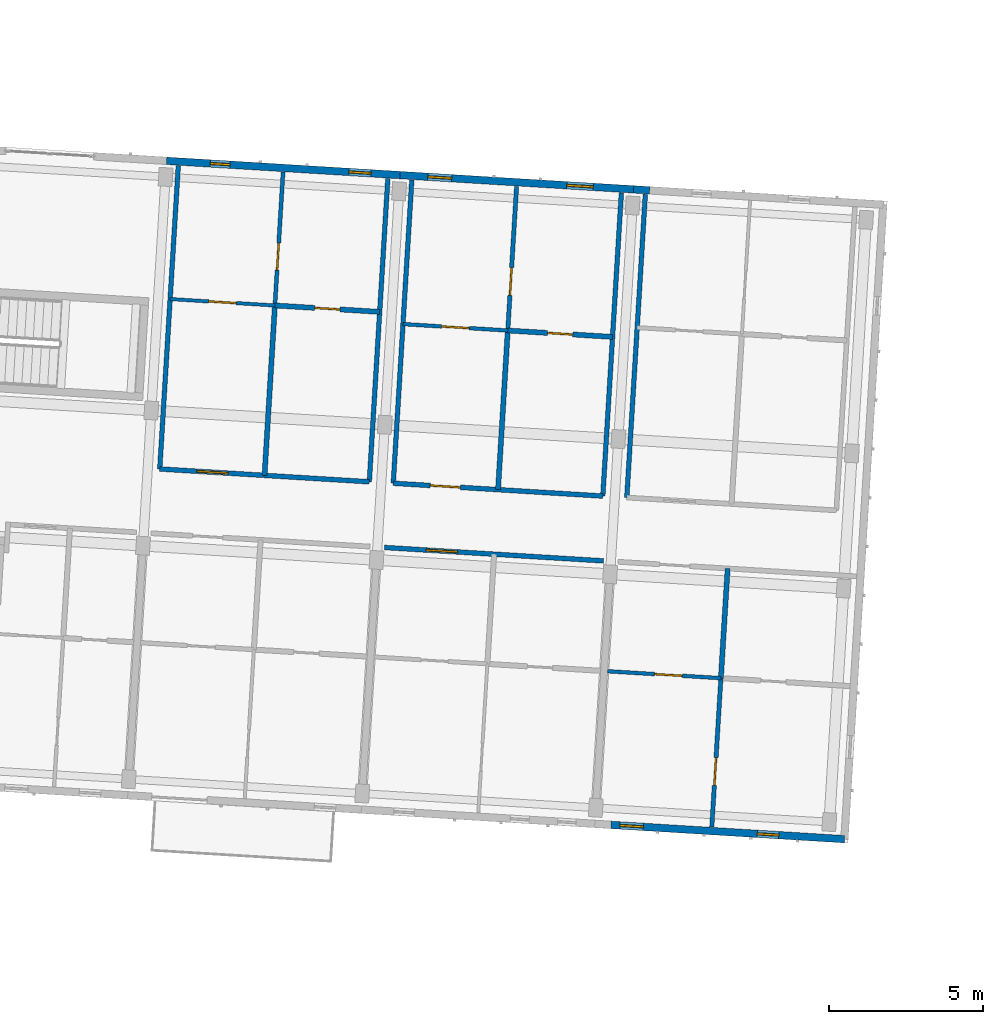
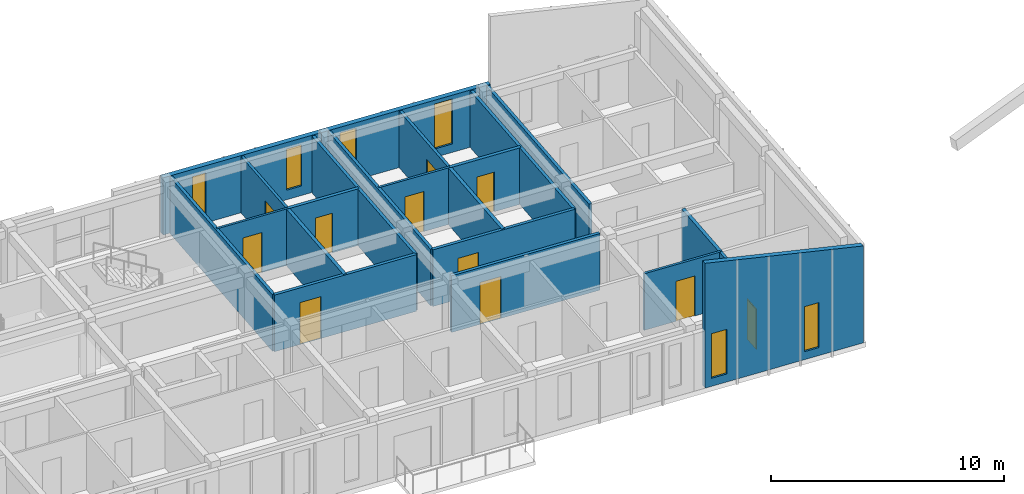
# One storey, part 27 of 64: 23 walls, 11 doors, 6 windows, 17 openings.
"""IFC4 building model written with IfcOpenShell, lengths in metres."""

from ifc_helpers import new_model, si_unit, direction, frame, frame_2d, origin, place, context, subcontext, project, spatial, polyline, rectangle, outline, extrude, material, layer, layer_set, type_object, element, fill, save


model = new_model("IFC4")

# Units and contexts
model_context = context("Model", 3, precision=1e-05, world=origin(), true_north=direction((0.0, 1.0)))
body_context = subcontext(model_context, "Body", "Model", "MODEL_VIEW")
ifc_project = project(units=[si_unit("LENGTHUNIT", "METRE"), si_unit("AREAUNIT", "SQUARE_METRE"), si_unit("VOLUMEUNIT", "CUBIC_METRE"), si_unit("PLANEANGLEUNIT", "RADIAN"), si_unit("MASSUNIT", "GRAM", prefix="KILO")], contexts=[model_context])

# Site, building, storey
site_placement = place(None, origin())
site = spatial("IfcSite", under=ifc_project, at=site_placement, CompositionType="ELEMENT")
building_placement = place(site_placement, origin())
building = spatial("IfcBuilding", under=site, at=building_placement, Name="Kestramere Prow Commons", CompositionType="ELEMENT")
storey_placement = place(building_placement, frame((0.0, 0.0, 24.64990234375)))
storey = spatial("IfcBuildingStorey", under=building, at=storey_placement, Name="L07", CompositionType="ELEMENT", Elevation=24.64990234375)

# Wall, openings, windows
ifc_material_1 = material(Name="Fluoropolymer Standing-Seam Zinc-Aluminium Cladding", Category="aluminium")
ifc_layer_1 = layer(ifc_material_1, 0.239990234375)
ifc_layer_set_1 = layer_set([ifc_layer_1], Name="Fluoropolymer Standing-Seam Zinc-Aluminium Cladding")
wall_type_1 = type_object("IfcWallType", Name="EW-SEAM-240", PredefinedType="SOLIDWALL", material=ifc_layer_set_1)
wall_1_placement = place(storey_placement, frame((105.5068359375, 43.16015625, 0.0), z_axis=(0.0, 0.0, 1.0), x_axis=(-0.998135549572, 0.061036257095, 0.0)))
wall_1 = element("IfcWall", 1, at=wall_1_placement, inside=storey, type_object=wall_type_1, Name="Block C L07 South Standing-Seam Wall 6", PredefinedType="SOLIDWALL", context=body_context, shape_type="SweptSolid", body=[
    extrude(outline(polyline([(0.0, 0.0), (7.599853515625, 0.0), (7.60009765625, 6.547607421875), (0.0, 5.085205078125), (0.0, 0.0)])), frame((0.0, 0.1201171875, 0.0), z_axis=(0.0, -1.0, 0.0), x_axis=(1.0, 0.0, 0.0)), (0.0, 0.0, 1.0), 0.239990234375),
])
opening_1_placement = place(wall_1_placement, frame((2.13720703125, 0.0, 0.419921875)))
opening_1 = element("IfcOpeningElement", 2, at=opening_1_placement, cuts=wall_1, Name="Opening WN-07", PredefinedType="OPENING", context=body_context, shape_type="SweptSolid", body=[
    extrude(rectangle(XDim=0.699951171875, YDim=2.360107421875, at=frame_2d((0.35009765625, 1.18017578125))), frame((0.0, 0.135009765625, 0.0), z_axis=(0.0, -1.0, 0.0), x_axis=(1.0, 0.0, 0.0)), (0.0, 0.0, 1.0), 0.27001953125),
])
opening_2_placement = place(wall_1_placement, frame((6.544677734375, 0.0, 0.419921875)))
opening_2 = element("IfcOpeningElement", 3, at=opening_2_placement, cuts=wall_1, Name="Opening WN-10", PredefinedType="OPENING", context=body_context, shape_type="SweptSolid", body=[
    extrude(rectangle(XDim=0.760009765625, YDim=2.340087890625, at=frame_2d((0.3798828125, 1.169921875))), frame((0.0, 0.135009765625, 0.0), z_axis=(0.0, -1.0, 0.0), x_axis=(1.0, 0.0, 0.0)), (0.0, 0.0, 1.0), 0.27001953125),
])
ifc_material_2 = material(Name="Low-E Laminated Double Glazing", Category="glass")
window_type_1 = type_object("IfcWindowType", Name="WN-NAR-700A", PartitioningType="SINGLE_PANEL", PredefinedType="WINDOW", material=ifc_material_2)
window_1_placement = place(opening_1_placement, origin())
window_1 = element("IfcWindow", 4, at=window_1_placement, inside=storey, type_object=window_type_1, Name="WN-C-L07-S-5-00", OverallHeight=2.360107421875, OverallWidth=0.699951171875, PartitioningType="SINGLE_PANEL", PredefinedType="WINDOW", context=body_context, shape_type="SweptSolid", body=[
    extrude(rectangle(XDim=0.699951171875, YDim=2.360107421875, at=frame_2d((0.35009765625, 1.18017578125))), frame((0.0, 0.030029296875, 0.0), z_axis=(0.0, -1.0, 0.0), x_axis=(1.0, 0.0, 0.0)), (0.0, 0.0, 1.0), 0.06005859375),
])
fill(opening_1, window_1)
window_type_2 = type_object("IfcWindowType", Name="WN-NAR-760A", PartitioningType="SINGLE_PANEL", PredefinedType="WINDOW", material=ifc_material_2)
window_2_placement = place(opening_2_placement, origin())
window_2 = element("IfcWindow", 5, at=window_2_placement, inside=storey, type_object=window_type_2, Name="WN-C-L07-S-5-10", OverallHeight=2.340087890625, OverallWidth=0.760009765625, PartitioningType="SINGLE_PANEL", PredefinedType="WINDOW", context=body_context, shape_type="SweptSolid", body=[
    extrude(rectangle(XDim=0.760009765625, YDim=2.340087890625, at=frame_2d((0.3798828125, 1.169921875))), frame((0.0, 0.030029296875, 0.0), z_axis=(0.0, -1.0, 0.0), x_axis=(1.0, 0.0, 0.0)), (0.0, 0.0, 1.0), 0.06005859375),
])
fill(opening_2, window_2)

wall_2_placement = place(storey_placement, frame((83.486083984375, 65.195556640625, 0.0), z_axis=(0.0, 0.0, 1.0), x_axis=(0.998135669243, -0.061034300063, 0.0)))
wall_2 = element("IfcWall", 6, at=wall_2_placement, inside=storey, type_object=wall_type_1, Name="Block C L07 North Standing-Seam Wall 4", PredefinedType="SOLIDWALL", context=body_context, shape_type="SweptSolid", body=[
    extrude(rectangle(XDim=7.60009765625, YDim=0.239990234375, at=frame_2d((3.800048828125, 0.0))), origin(), (0.0, 0.0, 1.0), 3.0),
])
opening_3_placement = place(wall_2_placement, frame((1.424072265625, 0.0, 0.43994140625)))
opening_3 = element("IfcOpeningElement", 7, at=opening_3_placement, cuts=wall_2, Name="Opening WN-04", PredefinedType="OPENING", context=body_context, shape_type="SweptSolid", body=[
    extrude(rectangle(XDim=0.639892578125, YDim=2.179931640625, at=frame_2d((0.31982421875, 1.08984375))), frame((0.0, 0.135009765625, 0.0), z_axis=(0.0, -1.0, 0.0), x_axis=(1.0, 0.0, 0.0)), (0.0, 0.0, 1.0), 0.27001953125),
])
opening_4_placement = place(wall_2_placement, frame((5.93505859375, 0.0, 0.5)))
opening_4 = element("IfcOpeningElement", 8, at=opening_4_placement, cuts=wall_2, Name="Opening WN-08", PredefinedType="OPENING", context=body_context, shape_type="SweptSolid", body=[
    extrude(rectangle(XDim=0.719970703125, YDim=2.159912109375, at=frame_2d((0.35986328125, 1.080078125))), frame((0.0, 0.135009765625, 0.0), z_axis=(0.0, -1.0, 0.0), x_axis=(1.0, 0.0, 0.0)), (0.0, 0.0, 1.0), 0.27001953125),
])
window_type_3 = type_object("IfcWindowType", Name="WN-NAR-640A", PartitioningType="SINGLE_PANEL", PredefinedType="WINDOW", material=ifc_material_2)
window_3_placement = place(opening_3_placement, origin())
window_3 = element("IfcWindow", 9, at=window_3_placement, inside=storey, type_object=window_type_3, Name="WN-C-L07-N-3-0", OverallHeight=2.179931640625, OverallWidth=0.639892578125, PartitioningType="SINGLE_PANEL", PredefinedType="WINDOW", context=body_context, shape_type="SweptSolid", body=[
    extrude(rectangle(XDim=0.639892578125, YDim=2.179931640625, at=frame_2d((0.31982421875, 1.08984375))), frame((0.0, 0.030029296875, 0.0), z_axis=(0.0, -1.0, 0.0), x_axis=(1.0, 0.0, 0.0)), (0.0, 0.0, 1.0), 0.06005859375),
])
fill(opening_3, window_3)
window_type_4 = type_object("IfcWindowType", Name="WN-NAR-720A", PartitioningType="SINGLE_PANEL", PredefinedType="WINDOW", material=ifc_material_2)
window_4_placement = place(opening_4_placement, origin())
window_4 = element("IfcWindow", 10, at=window_4_placement, inside=storey, type_object=window_type_4, Name="WN-C-L07-N-3-1", OverallHeight=2.159912109375, OverallWidth=0.719970703125, PartitioningType="SINGLE_PANEL", PredefinedType="WINDOW", context=body_context, shape_type="SweptSolid", body=[
    extrude(rectangle(XDim=0.719970703125, YDim=2.159912109375, at=frame_2d((0.35986328125, 1.080078125))), frame((0.0, 0.030029296875, 0.0), z_axis=(0.0, -1.0, 0.0), x_axis=(1.0, 0.0, 0.0)), (0.0, 0.0, 1.0), 0.06005859375),
])
fill(opening_4, window_4)

wall_3_placement = place(storey_placement, frame((91.072021484375, 64.731689453125, 0.0), z_axis=(0.0, 0.0, 1.0), x_axis=(0.998133591969, -0.061068261669, 0.0)))
wall_3 = element("IfcWall", 11, at=wall_3_placement, inside=storey, type_object=wall_type_1, Name="Block C L07 North Standing-Seam Wall 5", PredefinedType="SOLIDWALL", context=body_context, shape_type="SweptSolid", body=[
    extrude(rectangle(XDim=7.599853515625, YDim=0.239990234375, at=frame_2d((3.7998046875, 0.0))), origin(), (0.0, 0.0, 1.0), 3.0),
])
opening_5_placement = place(wall_3_placement, frame((0.901611328125, 0.0, 0.5)))
opening_5 = element("IfcOpeningElement", 12, at=opening_5_placement, cuts=wall_3, Name="Opening WN-11", PredefinedType="OPENING", context=body_context, shape_type="SweptSolid", body=[
    extrude(rectangle(XDim=0.780029296875, YDim=2.199951171875, at=frame_2d((0.39013671875, 1.10009765625))), frame((0.0, 0.135009765625, 0.0), z_axis=(0.0, -1.0, 0.0), x_axis=(1.0, 0.0, 0.0)), (0.0, 0.0, 1.0), 0.27001953125),
])
opening_6_placement = place(wall_3_placement, frame((5.426025390625, 0.0, 0.43994140625)))
opening_6 = element("IfcOpeningElement", 13, at=opening_6_placement, cuts=wall_3, Name="Opening WN-15", PredefinedType="OPENING", context=body_context, shape_type="SweptSolid", body=[
    extrude(rectangle(XDim=0.860107421875, YDim=2.360107421875, at=frame_2d((0.43017578125, 1.18017578125))), frame((0.0, 0.135009765625, 0.0), z_axis=(0.0, -1.0, 0.0), x_axis=(1.0, 0.0, 0.0)), (0.0, 0.0, 1.0), 0.27001953125),
])
window_type_5 = type_object("IfcWindowType", Name="WN-NAR-780A", PartitioningType="SINGLE_PANEL", PredefinedType="WINDOW", material=ifc_material_2)
window_5_placement = place(opening_5_placement, origin())
window_5 = element("IfcWindow", 14, at=window_5_placement, inside=storey, type_object=window_type_5, Name="WN-C-L07-N-4-0", OverallHeight=2.199951171875, OverallWidth=0.780029296875, PartitioningType="SINGLE_PANEL", PredefinedType="WINDOW", context=body_context, shape_type="SweptSolid", body=[
    extrude(rectangle(XDim=0.780029296875, YDim=2.199951171875, at=frame_2d((0.39013671875, 1.10009765625))), frame((0.0, 0.030029296875, 0.0), z_axis=(0.0, -1.0, 0.0), x_axis=(1.0, 0.0, 0.0)), (0.0, 0.0, 1.0), 0.06005859375),
])
fill(opening_5, window_5)
window_type_6 = type_object("IfcWindowType", Name="WN-NAR-860A", PartitioningType="DOUBLE_PANEL_VERTICAL", PredefinedType="WINDOW", material=ifc_material_2)
window_6_placement = place(opening_6_placement, origin())
window_6 = element("IfcWindow", 15, at=window_6_placement, inside=storey, type_object=window_type_6, Name="WN-C-L07-N-4-1", OverallHeight=2.360107421875, OverallWidth=0.860107421875, PartitioningType="SINGLE_PANEL", PredefinedType="WINDOW", context=body_context, shape_type="SweptSolid", body=[
    extrude(rectangle(XDim=0.860107421875, YDim=2.360107421875, at=frame_2d((0.43017578125, 1.18017578125))), frame((0.0, 0.030029296875, 0.0), z_axis=(0.0, -1.0, 0.0), x_axis=(1.0, 0.0, 0.0)), (0.0, 0.0, 1.0), 0.06005859375),
])
fill(opening_6, window_6)

# Wall
wall_4_placement = place(storey_placement, frame((98.65771484375, 64.267578125, 0.0), z_axis=(0.0, 0.0, 1.0), x_axis=(0.998142018096, -0.060930384143, 0.0)))
element("IfcWall", 16, at=wall_4_placement, inside=storey, type_object=wall_type_1, Name="Block C L07 North Step-Back Spandrel Wall 6", PredefinedType="SOLIDWALL", context=body_context, shape_type="SweptSolid", body=[
    extrude(rectangle(XDim=0.52490234375, YDim=0.239990234375, at=frame_2d((0.262451171875, 0.0))), origin(), (0.0, 0.0, 1.0), 3.0),
])

# Wall, opening, door
ifc_material_3 = material(Name="Fire-Rated Calcium Silicate Wall")
ifc_layer_2 = layer(ifc_material_3, 0.155029296875)
ifc_layer_set_2 = layer_set([ifc_layer_2], Name="Fire-Rated Calcium Silicate Wall")
wall_type_2 = type_object("IfcWallType", Name="W-FIRE-150", PredefinedType="PARTITIONING", material=ifc_layer_set_2)
wall_5_placement = place(storey_placement, frame((90.5673828125, 52.634765625, 0.0), z_axis=(0.0, 0.0, 1.0), x_axis=(0.998134569689, -0.061052279168, 0.0)))
wall_5 = element("IfcWall", 17, at=wall_5_placement, inside=storey, type_object=wall_type_2, Name="Interior Partition PW-C-L07-CS-4", PredefinedType="PARTITIONING", context=body_context, shape_type="SweptSolid", body=[
    extrude(rectangle(XDim=7.1298828125, YDim=0.155029296875, at=frame_2d((3.56494140625, 0.0))), origin(), (0.0, 0.0, 1.0), 2.97021484375),
])
opening_7_placement = place(wall_5_placement, frame((1.35498046875, 0.0, 0.0)))
opening_7 = element("IfcOpeningElement", 18, at=opening_7_placement, cuts=wall_5, Name="Opening ID-05", PredefinedType="OPENING", context=body_context, shape_type="SweptSolid", body=[
    extrude(rectangle(XDim=1.02001953125, YDim=2.199951171875, at=frame_2d((0.510009765625, 1.10009765625))), frame((0.0, 0.092529296875, 0.0), z_axis=(0.0, -1.0, 0.0), x_axis=(1.0, 0.0, 0.0)), (0.0, 0.0, 1.0), 0.18505859375),
])
ifc_material_4 = material(Name="Hardwood Fire-Rated Flat Entrance Door", Category="wood")
door_type_1 = type_object("IfcDoorType", Name="FD-ENT-02", OperationType="NOTDEFINED", PredefinedType="DOOR", material=ifc_material_4)
door_1_placement = place(opening_7_placement, origin())
door_1 = element("IfcDoor", 19, at=door_1_placement, inside=storey, type_object=door_type_1, Name="Interior Door DR-C-L07-ENT-S4", OperationType="SINGLE_SWING_RIGHT", OverallHeight=2.199951171875, OverallWidth=1.02001953125, PredefinedType="DOOR", context=body_context, shape_type="SweptSolid", body=[
    extrude(rectangle(XDim=1.02001953125, YDim=2.199951171875, at=frame_2d((0.510009765625, 1.10009765625))), frame((0.0, 0.02490234375, 0.0), z_axis=(0.0, -1.0, 0.0), x_axis=(1.0, 0.0, 0.0)), (0.0, 0.0, 1.0), 0.050048828125),
])
fill(opening_7, door_1)

wall_6_placement = place(storey_placement, frame((83.2646484375, 55.185302734375, 0.0), z_axis=(0.0, 0.0, 1.0), x_axis=(0.998135531673, -0.061036549799, 0.0)))
wall_6 = element("IfcWall", 20, at=wall_6_placement, inside=storey, type_object=wall_type_2, Name="Interior Partition PW-C-L07-CN-3", PredefinedType="PARTITIONING", context=body_context, shape_type="SweptSolid", body=[
    extrude(rectangle(XDim=6.81982421875, YDim=0.155029296875, at=frame_2d((3.409912109375, 0.0))), origin(), (0.0, 0.0, 1.0), 2.97021484375),
])
opening_8_placement = place(wall_6_placement, frame((1.205078125, 0.0, 0.0)))
opening_8 = element("IfcOpeningElement", 21, at=opening_8_placement, cuts=wall_6, Name="Opening ID-05", PredefinedType="OPENING", context=body_context, shape_type="SweptSolid", body=[
    extrude(rectangle(XDim=1.02001953125, YDim=2.199951171875, at=frame_2d((0.510009765625, 1.10009765625))), frame((0.0, 0.092529296875, 0.0), z_axis=(0.0, -1.0, 0.0), x_axis=(1.0, 0.0, 0.0)), (0.0, 0.0, 1.0), 0.18505859375),
])
door_2_placement = place(opening_8_placement, origin())
door_2 = element("IfcDoor", 22, at=door_2_placement, inside=storey, type_object=door_type_1, Name="Interior Door DR-C-L07-ENT-N3", OperationType="SINGLE_SWING_RIGHT", OverallHeight=2.199951171875, OverallWidth=1.02001953125, PredefinedType="DOOR", context=body_context, shape_type="SweptSolid", body=[
    extrude(rectangle(XDim=1.02001953125, YDim=2.199951171875, at=frame_2d((0.510009765625, 1.10009765625))), frame((0.0, 0.02490234375, 0.0), z_axis=(0.0, -1.0, 0.0), x_axis=(1.0, 0.0, 0.0)), (0.0, 0.0, 1.0), 0.050048828125),
])
fill(opening_8, door_2)

wall_7_placement = place(storey_placement, frame((90.850341796875, 54.721435546875, 0.0), z_axis=(0.0, 0.0, 1.0), x_axis=(0.998135665032, -0.06103436893, 0.0)))
wall_7 = element("IfcWall", 23, at=wall_7_placement, inside=storey, type_object=wall_type_2, Name="Interior Partition PW-C-L07-CN-4", PredefinedType="PARTITIONING", context=body_context, shape_type="SweptSolid", body=[
    extrude(rectangle(XDim=6.820068359375, YDim=0.155029296875, at=frame_2d((3.41015625, 0.0))), origin(), (0.0, 0.0, 1.0), 2.97021484375),
])
opening_9_placement = place(wall_7_placement, frame((1.205078125, 0.0, 0.0)))
opening_9 = element("IfcOpeningElement", 24, at=opening_9_placement, cuts=wall_7, Name="Opening ID-04", PredefinedType="OPENING", context=body_context, shape_type="SweptSolid", body=[
    extrude(rectangle(XDim=0.97998046875, YDim=2.14990234375, at=frame_2d((0.489990234375, 1.074951171875))), frame((0.0, 0.092529296875, 0.0), z_axis=(0.0, -1.0, 0.0), x_axis=(1.0, 0.0, 0.0)), (0.0, 0.0, 1.0), 0.18505859375),
])
door_type_2 = type_object("IfcDoorType", Name="FD-ENT-01", OperationType="NOTDEFINED", PredefinedType="DOOR", material=ifc_material_4)
door_3_placement = place(opening_9_placement, origin())
door_3 = element("IfcDoor", 25, at=door_3_placement, inside=storey, type_object=door_type_2, Name="Interior Door DR-C-L07-ENT-N4", OperationType="SINGLE_SWING_LEFT", OverallHeight=2.14990234375, OverallWidth=0.97998046875, PredefinedType="DOOR", context=body_context, shape_type="SweptSolid", body=[
    extrude(rectangle(XDim=0.97998046875, YDim=2.14990234375, at=frame_2d((0.489990234375, 1.074951171875))), frame((0.0, 0.02490234375, 0.0), z_axis=(0.0, -1.0, 0.0), x_axis=(1.0, 0.0, 0.0)), (0.0, 0.0, 1.0), 0.050048828125),
])
fill(opening_9, door_3)

ifc_material_5 = material(Name="Gypsum Acoustic Drywall")
ifc_layer_3 = layer(ifc_material_5, 0.110107421875)
ifc_layer_set_3 = layer_set([ifc_layer_3], Name="Gypsum Acoustic Drywall")
wall_type_3 = type_object("IfcWallType", Name="W-PART-110", PredefinedType="PARTITIONING", material=ifc_layer_set_3)
wall_8_placement = place(storey_placement, frame((83.60205078125, 60.705078125, 0.0), z_axis=(0.0, 0.0, 1.0), x_axis=(0.998133617109, -0.061067850767, 0.0)))
wall_8 = element("IfcWall", 26, at=wall_8_placement, inside=storey, type_object=wall_type_3, Name="Interior Partition PW-C-L07-MIDN1-3", PredefinedType="PARTITIONING", context=body_context, shape_type="SweptSolid", body=[
    extrude(rectangle(XDim=3.41015625, YDim=0.110107421875, at=frame_2d((1.705078125, 0.0))), origin(), (0.0, 0.0, 1.0), 2.97021484375),
])
opening_10_placement = place(wall_8_placement, frame((1.2548828125, 0.0, 0.0)))
opening_10 = element("IfcOpeningElement", 27, at=opening_10_placement, cuts=wall_8, Name="Opening ID-08", PredefinedType="OPENING", context=body_context, shape_type="SweptSolid", body=[
    extrude(rectangle(XDim=0.89990234375, YDim=2.10009765625, at=frame_2d((0.449951171875, 1.050048828125))), frame((0.0, 0.070068359375, 0.0), z_axis=(0.0, -1.0, 0.0), x_axis=(1.0, 0.0, 0.0)), (0.0, 0.0, 1.0), 0.14013671875),
])
ifc_material_6 = material(Name="Engineered Timber Flush Door", Category="wood")
door_type_3 = type_object("IfcDoorType", Name="D-RM-01", OperationType="NOTDEFINED", PredefinedType="DOOR", material=ifc_material_6)
door_4_placement = place(opening_10_placement, origin())
door_4 = element("IfcDoor", 28, at=door_4_placement, inside=storey, type_object=door_type_3, Name="Interior Door DR-C-L07-KL-N3", OperationType="SINGLE_SWING_LEFT", OverallHeight=2.10009765625, OverallWidth=0.89990234375, PredefinedType="DOOR", context=body_context, shape_type="SweptSolid", body=[
    extrude(rectangle(XDim=0.89990234375, YDim=2.10009765625, at=frame_2d((0.449951171875, 1.050048828125))), frame((0.0, 0.02490234375, 0.0), z_axis=(0.0, -1.0, 0.0), x_axis=(1.0, 0.0, 0.0)), (0.0, 0.0, 1.0), 0.050048828125),
])
fill(opening_10, door_4)

ifc_material_7 = material(Name="Lightweight Blockwork and Plaster", Category="masonry")
ifc_layer_4 = layer(ifc_material_7, 0.1201171875)
ifc_layer_set_4 = layer_set([ifc_layer_4], Name="Lightweight Blockwork and Plaster")
wall_type_4 = type_object("IfcWallType", Name="W-PART-120", PredefinedType="PARTITIONING", material=ifc_layer_set_4)
wall_9_placement = place(storey_placement, frame((97.815673828125, 48.61474609375, 0.0), z_axis=(0.0, 0.0, 1.0), x_axis=(0.998136472989, -0.061021154439, 0.0)))
wall_9 = element("IfcWall", 29, at=wall_9_placement, inside=storey, type_object=wall_type_4, Name="Interior Partition PW-C-L07-MIDS1-5", PredefinedType="PARTITIONING", context=body_context, shape_type="SweptSolid", body=[
    extrude(rectangle(XDim=3.684814453125, YDim=0.1201171875, at=frame_2d((1.84228515625, 0.0))), origin(), (0.0, 0.0, 1.0), 2.97021484375),
])
opening_11_placement = place(wall_9_placement, frame((1.52490234375, 0.0, 0.0)))
opening_11 = element("IfcOpeningElement", 30, at=opening_11_placement, cuts=wall_9, Name="Opening ID-08", PredefinedType="OPENING", context=body_context, shape_type="SweptSolid", body=[
    extrude(rectangle(XDim=0.89990234375, YDim=2.10009765625, at=frame_2d((0.449951171875, 1.050048828125))), frame((0.0, 0.074951171875, 0.0), z_axis=(0.0, -1.0, 0.0), x_axis=(1.0, 0.0, 0.0)), (0.0, 0.0, 1.0), 0.150146484375),
])
door_5_placement = place(opening_11_placement, origin())
door_5 = element("IfcDoor", 31, at=door_5_placement, inside=storey, type_object=door_type_3, Name="Interior Door DR-C-L07-KL-S5", OperationType="SINGLE_SWING_RIGHT", OverallHeight=2.10009765625, OverallWidth=0.89990234375, PredefinedType="DOOR", context=body_context, shape_type="SweptSolid", body=[
    extrude(rectangle(XDim=0.89990234375, YDim=2.10009765625, at=frame_2d((0.449951171875, 1.050048828125))), frame((0.0, 0.02490234375, 0.0), z_axis=(0.0, -1.0, 0.0), x_axis=(1.0, 0.0, 0.0)), (0.0, 0.0, 1.0), 0.050048828125),
])
fill(opening_11, door_5)

wall_10_placement = place(storey_placement, frame((91.16650390625, 59.891845703125, 0.0), z_axis=(0.0, 0.0, 1.0), x_axis=(0.998133617109, -0.061067850767, 0.0)))
wall_10 = element("IfcWall", 32, at=wall_10_placement, inside=storey, type_object=wall_type_4, Name="Interior Partition PW-C-L07-MIDN1-4", PredefinedType="PARTITIONING", context=body_context, shape_type="SweptSolid", body=[
    extrude(rectangle(XDim=3.41015625, YDim=0.1201171875, at=frame_2d((1.705078125, 0.0))), origin(), (0.0, 0.0, 1.0), 2.97021484375),
])
opening_12_placement = place(wall_10_placement, frame((1.2548828125, 0.0, 0.0)))
opening_12 = element("IfcOpeningElement", 33, at=opening_12_placement, cuts=wall_10, Name="Opening ID-08", PredefinedType="OPENING", context=body_context, shape_type="SweptSolid", body=[
    extrude(rectangle(XDim=0.89990234375, YDim=2.10009765625, at=frame_2d((0.449951171875, 1.050048828125))), frame((0.0, 0.074951171875, 0.0), z_axis=(0.0, -1.0, 0.0), x_axis=(1.0, 0.0, 0.0)), (0.0, 0.0, 1.0), 0.150146484375),
])
door_6_placement = place(opening_12_placement, origin())
door_6 = element("IfcDoor", 34, at=door_6_placement, inside=storey, type_object=door_type_3, Name="Interior Door DR-C-L07-KL-N4", OperationType="SINGLE_SWING_LEFT", OverallHeight=2.10009765625, OverallWidth=0.89990234375, PredefinedType="DOOR", context=body_context, shape_type="SweptSolid", body=[
    extrude(rectangle(XDim=0.89990234375, YDim=2.10009765625, at=frame_2d((0.449951171875, 1.050048828125))), frame((0.0, 0.02490234375, 0.0), z_axis=(0.0, -1.0, 0.0), x_axis=(1.0, 0.0, 0.0)), (0.0, 0.0, 1.0), 0.050048828125),
])
fill(opening_12, door_6)

ifc_layer_5 = layer(ifc_material_7, 0.1298828125)
ifc_layer_set_5 = layer_set([ifc_layer_5], Name="Lightweight Blockwork and Plaster")
wall_type_5 = type_object("IfcWallType", Name="W-PART-130", PredefinedType="PARTITIONING", material=ifc_layer_set_5)
wall_11_placement = place(storey_placement, frame((87.005859375, 60.496826171875, 0.0), z_axis=(0.0, 0.0, 1.0), x_axis=(0.06103343432, 0.998135722182, 0.0)))
wall_11 = element("IfcWall", 35, at=wall_11_placement, inside=storey, type_object=wall_type_5, Name="Interior Partition PW-C-L07-LB-N3", PredefinedType="PARTITIONING", context=body_context, shape_type="SweptSolid", body=[
    extrude(rectangle(XDim=4.340087890625, YDim=0.1298828125, at=frame_2d((2.169921875, 0.0))), origin(), (0.0, 0.0, 1.0), 2.97021484375),
])
opening_13_placement = place(wall_11_placement, frame((1.14990234375, 0.0, 0.0)))
opening_13 = element("IfcOpeningElement", 36, at=opening_13_placement, cuts=wall_11, Name="Opening ID-10", PredefinedType="OPENING", context=body_context, shape_type="SweptSolid", body=[
    extrude(rectangle(XDim=0.8798828125, YDim=2.10009765625, at=frame_2d((0.43994140625, 1.050048828125))), frame((0.0, 0.079833984375, 0.0), z_axis=(0.0, -1.0, 0.0), x_axis=(1.0, 0.0, 0.0)), (0.0, 0.0, 1.0), 0.159912109375),
])
ifc_material_8 = material(Name="Engineered Timber Bedroom Door", Category="wood")
door_type_4 = type_object("IfcDoorType", Name="D-RM-03", OperationType="NOTDEFINED", PredefinedType="DOOR", material=ifc_material_8)
door_7_placement = place(opening_13_placement, origin())
door_7 = element("IfcDoor", 37, at=door_7_placement, inside=storey, type_object=door_type_4, Name="Interior Door DR-C-L07-BED-N3", OperationType="SINGLE_SWING_LEFT", OverallHeight=2.10009765625, OverallWidth=0.8798828125, PredefinedType="DOOR", context=body_context, shape_type="SweptSolid", body=[
    extrude(rectangle(XDim=0.8798828125, YDim=2.10009765625, at=frame_2d((0.43994140625, 1.050048828125))), frame((0.0, 0.02490234375, 0.0), z_axis=(0.0, -1.0, 0.0), x_axis=(1.0, 0.0, 0.0)), (0.0, 0.0, 1.0), 0.050048828125),
])
fill(opening_13, door_7)

ifc_material_9 = material(Name="Masonry Compartment Wall", Category="masonry")
ifc_layer_6 = layer(ifc_material_9, 0.139892578125)
ifc_layer_set_6 = layer_set([ifc_layer_6], Name="Masonry Compartment Wall")
wall_type_6 = type_object("IfcWallType", Name="W-PART-140", PredefinedType="PARTITIONING", material=ifc_layer_set_6)
wall_12_placement = place(storey_placement, frame((101.1982421875, 43.558837890625, 0.0), z_axis=(0.0, 0.0, 1.0), x_axis=(0.061034170677, 0.998135677155, 0.0)))
wall_12 = element("IfcWall", 38, at=wall_12_placement, inside=storey, type_object=wall_type_6, Name="Interior Partition PW-C-L07-LB-S5", PredefinedType="PARTITIONING", context=body_context, shape_type="SweptSolid", body=[
    extrude(rectangle(XDim=4.840087890625, YDim=0.139892578125, at=frame_2d((2.419921875, 0.0))), origin(), (0.0, 0.0, 1.0), 2.97021484375),
])
opening_14_placement = place(wall_12_placement, frame((1.35009765625, 0.0, 0.0)))
opening_14 = element("IfcOpeningElement", 39, at=opening_14_placement, cuts=wall_12, Name="Opening ID-08", PredefinedType="OPENING", context=body_context, shape_type="SweptSolid", body=[
    extrude(rectangle(XDim=0.89990234375, YDim=2.10009765625, at=frame_2d((0.449951171875, 1.050048828125))), frame((0.0, 0.0849609375, 0.0), z_axis=(0.0, -1.0, 0.0), x_axis=(1.0, 0.0, 0.0)), (0.0, 0.0, 1.0), 0.169921875),
])
door_8_placement = place(opening_14_placement, origin())
door_8 = element("IfcDoor", 40, at=door_8_placement, inside=storey, type_object=door_type_3, Name="Interior Door DR-C-L07-BED-S5", OperationType="SINGLE_SWING_RIGHT", OverallHeight=2.10009765625, OverallWidth=0.89990234375, PredefinedType="DOOR", context=body_context, shape_type="SweptSolid", body=[
    extrude(rectangle(XDim=0.89990234375, YDim=2.10009765625, at=frame_2d((0.449951171875, 1.050048828125))), frame((0.0, 0.02490234375, 0.0), z_axis=(0.0, -1.0, 0.0), x_axis=(1.0, 0.0, 0.0)), (0.0, 0.0, 1.0), 0.050048828125),
])
fill(opening_14, door_8)

wall_13_placement = place(storey_placement, frame((94.5703125, 59.68359375, 0.0), z_axis=(0.0, 0.0, 1.0), x_axis=(0.061062434628, 0.998133948465, 0.0)))
wall_13 = element("IfcWall", 41, at=wall_13_placement, inside=storey, type_object=wall_type_6, Name="Interior Partition PW-C-L07-LB-N4", PredefinedType="PARTITIONING", context=body_context, shape_type="SweptSolid", body=[
    extrude(rectangle(XDim=4.68994140625, YDim=0.139892578125, at=frame_2d((2.344970703125, 0.0))), origin(), (0.0, 0.0, 1.0), 2.97021484375),
])
opening_15_placement = place(wall_13_placement, frame((1.14990234375, 0.0, 0.0)))
opening_15 = element("IfcOpeningElement", 42, at=opening_15_placement, cuts=wall_13, Name="Opening ID-08", PredefinedType="OPENING", context=body_context, shape_type="SweptSolid", body=[
    extrude(rectangle(XDim=0.89990234375, YDim=2.10009765625, at=frame_2d((0.449951171875, 1.050048828125))), frame((0.0, 0.0849609375, 0.0), z_axis=(0.0, -1.0, 0.0), x_axis=(1.0, 0.0, 0.0)), (0.0, 0.0, 1.0), 0.169921875),
])
door_9_placement = place(opening_15_placement, origin())
door_9 = element("IfcDoor", 43, at=door_9_placement, inside=storey, type_object=door_type_3, Name="Interior Door DR-C-L07-BED-N4", OperationType="SINGLE_SWING_LEFT", OverallHeight=2.10009765625, OverallWidth=0.89990234375, PredefinedType="DOOR", context=body_context, shape_type="SweptSolid", body=[
    extrude(rectangle(XDim=0.89990234375, YDim=2.10009765625, at=frame_2d((0.449951171875, 1.050048828125))), frame((0.0, 0.02490234375, 0.0), z_axis=(0.0, -1.0, 0.0), x_axis=(1.0, 0.0, 0.0)), (0.0, 0.0, 1.0), 0.050048828125),
])
fill(opening_15, door_9)

# Walls
ifc_layer_7 = layer(ifc_material_9, 0.14990234375)
ifc_layer_set_7 = layer_set([ifc_layer_7], Name="Masonry Compartment Wall")
wall_type_7 = type_object("IfcWallType", Name="W-PART-150", PredefinedType="PARTITIONING", material=ifc_layer_set_7)
wall_14_placement = place(storey_placement, frame((83.2646484375, 55.185302734375, 0.0), z_axis=(0.0, 0.0, 1.0), x_axis=(0.061046193261, 0.998134941923, 0.0)))
element("IfcWall", 44, at=wall_14_placement, inside=storey, type_object=wall_type_7, Name="Interior Partition PW-C-L07-NWL-3", PredefinedType="PARTITIONING", context=body_context, shape_type="SweptSolid", body=[
    extrude(rectangle(XDim=9.8701171875, YDim=0.14990234375, at=frame_2d((4.93505859375, 0.0))), origin(), (0.0, 0.0, 1.0), 2.97021484375),
])
for number, where, z_axis, x_axis, name in (
    (45, (90.07177734375, 54.76904296875, 0.0), (0.0, 0.0, 1.0), (0.061047700465, 0.998134849741, 0.0), "Interior Partition PW-C-L07-NWR-3"),
    (46, (90.850341796875, 54.721435546875, 0.0), (0.0, 0.0, 1.0), (0.061047700465, 0.998134849741, 0.0), "Interior Partition PW-C-L07-NWL-4"),
    (47, (97.65771484375, 54.30517578125, 0.0), (0.0, 0.0, 1.0), (0.061047700465, 0.998134849741, 0.0), "Interior Partition PW-C-L07-NWR-4"),
    (48, (98.436279296875, 54.257568359375, 0.0), (0.0, 0.0, 1.0), (0.061047700465, 0.998134849741, 0.0), "Interior Partition PW-C-L07-NWL-5"),
):
    element("IfcWall", number, at=place(storey_placement, frame(where, z_axis=z_axis, x_axis=x_axis)), inside=storey, type_object=wall_type_7, Name=name, PredefinedType="PARTITIONING", context=body_context, shape_type="SweptSolid", body=[
        extrude(rectangle(XDim=9.869873046875, YDim=0.14990234375, at=frame_2d((4.93505859375, 0.0))), origin(), (0.0, 0.0, 1.0), 2.97021484375),
    ])
ifc_material_10 = material(Name="Waterproof Sanitary Masonry Wall", Category="masonry")
ifc_layer_8 = layer(ifc_material_10, 0.1650390625)
ifc_layer_set_8 = layer_set([ifc_layer_8], Name="Waterproof Sanitary Masonry Wall")
wall_type_8 = type_object("IfcWallType", Name="W-PLUMB-150", PredefinedType="PLUMBINGWALL", material=ifc_layer_set_8)
wall_15_placement = place(storey_placement, frame((101.49365234375, 48.389892578125, 0.0), z_axis=(0.0, 0.0, 1.0), x_axis=(0.061071129902, 0.998133416479, 0.0)))
element("IfcWall", 49, at=wall_15_placement, inside=storey, type_object=wall_type_8, Name="Interior Partition PW-C-L07-KB-S5", PredefinedType="PLUMBINGWALL", context=body_context, shape_type="SweptSolid", body=[
    extrude(rectangle(XDim=3.56982421875, YDim=0.1650390625, at=frame_2d((1.784912109375, 0.0))), origin(), (0.0, 0.0, 1.0), 2.97021484375),
])

# Wall, opening, door
wall_16_placement = place(storey_placement, frame((87.005859375, 60.496826171875, 0.0), z_axis=(0.0, 0.0, 1.0), x_axis=(0.998137711988, -0.061000884486, 0.0)))
wall_16 = element("IfcWall", 50, at=wall_16_placement, inside=storey, type_object=wall_type_8, Name="Interior Partition PW-C-L07-MIDN2-3", PredefinedType="PLUMBINGWALL", context=body_context, shape_type="SweptSolid", body=[
    extrude(rectangle(XDim=3.409912109375, YDim=0.1650390625, at=frame_2d((1.705078125, 0.0))), origin(), (0.0, 0.0, 1.0), 2.97021484375),
])
opening_16_placement = place(wall_16_placement, frame((1.294921875, 0.0, 0.0)))
opening_16 = element("IfcOpeningElement", 51, at=opening_16_placement, cuts=wall_16, Name="Opening ID-11", PredefinedType="OPENING", context=body_context, shape_type="SweptSolid", body=[
    extrude(rectangle(XDim=0.820068359375, YDim=2.080078125, at=frame_2d((0.41015625, 1.0400390625))), frame((0.0, 0.097412109375, 0.0), z_axis=(0.0, -1.0, 0.0), x_axis=(1.0, 0.0, 0.0)), (0.0, 0.0, 1.0), 0.195068359375),
])
ifc_material_11 = material(Name="Moisture-Resistant Timber Bathroom Door", Category="wood")
door_type_5 = type_object("IfcDoorType", Name="D-BT-01", OperationType="NOTDEFINED", PredefinedType="DOOR", material=ifc_material_11)
door_10_placement = place(opening_16_placement, origin())
door_10 = element("IfcDoor", 52, at=door_10_placement, inside=storey, type_object=door_type_5, Name="Interior Door DR-C-L07-BTH-N3", OperationType="SINGLE_SWING_RIGHT", OverallHeight=2.080078125, OverallWidth=0.820068359375, PredefinedType="DOOR", context=body_context, shape_type="SweptSolid", body=[
    extrude(rectangle(XDim=0.820068359375, YDim=2.080078125, at=frame_2d((0.41015625, 1.0400390625))), frame((0.0, 0.02490234375, 0.0), z_axis=(0.0, -1.0, 0.0), x_axis=(1.0, 0.0, 0.0)), (0.0, 0.0, 1.0), 0.050048828125),
])
fill(opening_16, door_10)

# Wall
wall_17_placement = place(storey_placement, frame((86.668212890625, 54.977294921875, 0.0), z_axis=(0.0, 0.0, 1.0), x_axis=(0.061058897293, 0.99813416486, 0.0)))
element("IfcWall", 53, at=wall_17_placement, inside=storey, type_object=wall_type_8, Name="Interior Partition PW-C-L07-KB-N3", PredefinedType="PLUMBINGWALL", context=body_context, shape_type="SweptSolid", body=[
    extrude(rectangle(XDim=5.52978515625, YDim=0.1650390625, at=frame_2d((2.764892578125, 0.0))), origin(), (0.0, 0.0, 1.0), 2.97021484375),
])

# Wall, opening, door
wall_18_placement = place(storey_placement, frame((94.5703125, 59.68359375, 0.0), z_axis=(0.0, 0.0, 1.0), x_axis=(0.998133350094, -0.061072214879, 0.0)))
wall_18 = element("IfcWall", 54, at=wall_18_placement, inside=storey, type_object=wall_type_8, Name="Interior Partition PW-C-L07-MIDN2-4", PredefinedType="PLUMBINGWALL", context=body_context, shape_type="SweptSolid", body=[
    extrude(rectangle(XDim=3.409912109375, YDim=0.1650390625, at=frame_2d((1.705078125, 0.0))), origin(), (0.0, 0.0, 1.0), 2.97021484375),
])
opening_17_placement = place(wall_18_placement, frame((1.294921875, 0.0, 0.0)))
opening_17 = element("IfcOpeningElement", 55, at=opening_17_placement, cuts=wall_18, Name="Opening ID-11", PredefinedType="OPENING", context=body_context, shape_type="SweptSolid", body=[
    extrude(rectangle(XDim=0.820068359375, YDim=2.080078125, at=frame_2d((0.41015625, 1.0400390625))), frame((0.0, 0.097412109375, 0.0), z_axis=(0.0, -1.0, 0.0), x_axis=(1.0, 0.0, 0.0)), (0.0, 0.0, 1.0), 0.195068359375),
])
door_11_placement = place(opening_17_placement, origin())
door_11 = element("IfcDoor", 56, at=door_11_placement, inside=storey, type_object=door_type_5, Name="Interior Door DR-C-L07-BTH-N4", OperationType="SINGLE_SWING_RIGHT", OverallHeight=2.080078125, OverallWidth=0.820068359375, PredefinedType="DOOR", context=body_context, shape_type="SweptSolid", body=[
    extrude(rectangle(XDim=0.820068359375, YDim=2.080078125, at=frame_2d((0.41015625, 1.0400390625))), frame((0.0, 0.02490234375, 0.0), z_axis=(0.0, -1.0, 0.0), x_axis=(1.0, 0.0, 0.0)), (0.0, 0.0, 1.0), 0.050048828125),
])
fill(opening_17, door_11)

# Wall
wall_19_placement = place(storey_placement, frame((94.25390625, 54.51318359375, 0.0), z_axis=(0.0, 0.0, 1.0), x_axis=(0.061081315517, 0.998132793217, 0.0)))
element("IfcWall", 57, at=wall_19_placement, inside=storey, type_object=wall_type_8, Name="Interior Partition PW-C-L07-KB-N4", PredefinedType="PLUMBINGWALL", context=body_context, shape_type="SweptSolid", body=[
    extrude(rectangle(XDim=5.18017578125, YDim=0.1650390625, at=frame_2d((2.590087890625, 0.0))), origin(), (0.0, 0.0, 1.0), 2.97021484375),
])

save(model, "model.ifc")
